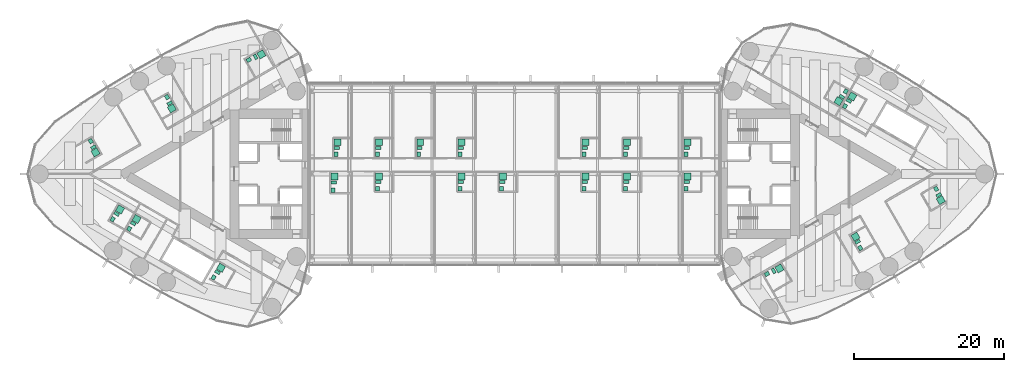
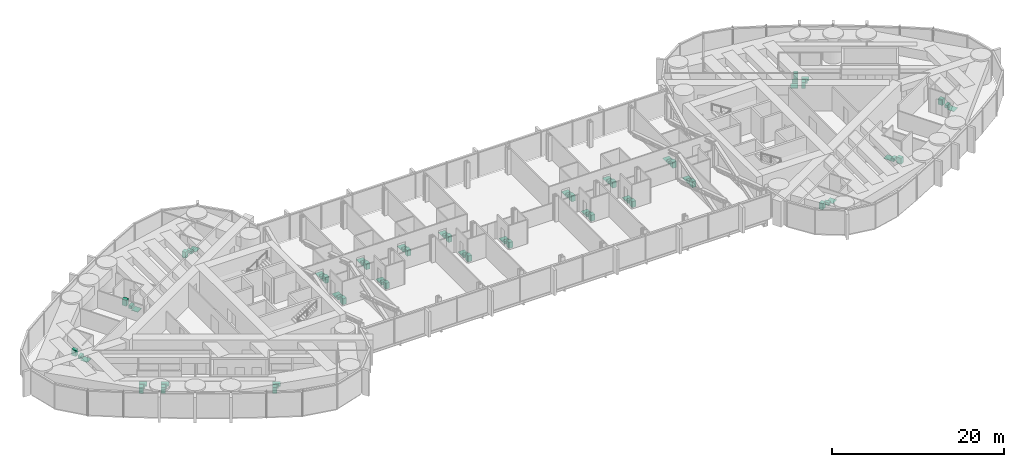
# One storey, part 22 of 22: 31 sanitary terminals.
"""IFC4 building model written with IfcOpenShell, lengths in metres."""

from ifc_helpers import new_model, si_unit, direction, frame, origin, origin_2d, place, context, subcontext, project, spatial, rectangle, extrude, material, type_object, element, save


model = new_model("IFC4")

# Units and contexts
model_context = context("Model", 3, precision=1e-05, world=origin(), true_north=direction((0.0, 1.0)))
body_context = subcontext(model_context, "Body", "Model", "MODEL_VIEW")
ifc_project = project(units=[si_unit("LENGTHUNIT", "METRE"), si_unit("AREAUNIT", "SQUARE_METRE"), si_unit("VOLUMEUNIT", "CUBIC_METRE"), si_unit("PLANEANGLEUNIT", "RADIAN"), si_unit("MASSUNIT", "GRAM", prefix="KILO")], contexts=[model_context])

# Site, building, storey
site_placement = place(None, origin())
site = spatial("IfcSite", under=ifc_project, at=site_placement, CompositionType="ELEMENT")
building_placement = place(site_placement, origin())
building = spatial("IfcBuilding", under=site, at=building_placement, Name="Lancet Gate Hotel", CompositionType="ELEMENT")
storey_placement = place(building_placement, frame((0.0, 0.0, 229.699951171875)))
storey = spatial("IfcBuildingStorey", under=building, at=storey_placement, Name="L61", CompositionType="ELEMENT", Elevation=229.699951171875)

# Sanitary terminals
ifc_material_1 = material(Name="Vitreous china sanitary ware")
sanitary_terminal_type_1 = type_object("IfcSanitaryTerminalType", Name="En-suite sanitary set (shower, WC, basin)", PredefinedType="USERDEFINED", material=ifc_material_1)
sanitary_terminal_1_placement = place(storey_placement, frame((-45.60888671875, 8.717529296875, 0.0), z_axis=(0.0, 0.0, 1.0), x_axis=(1.0, 0.0, 0.0)))
element("IfcSanitaryTerminal", 1, at=sanitary_terminal_1_placement, inside=storey, type_object=sanitary_terminal_type_1, Name="En-suite sanitary set (shower, WC, basin) 6103", ObjectType="EN-SUITE SANITARY SET", PredefinedType="USERDEFINED", context=body_context, shape_type="SweptSolid", body=[
    extrude(rectangle(XDim=0.89990234375, YDim=0.89990234375, at=origin_2d()), frame((0.0, 0.0, 0.0), z_axis=(0.0, 0.0, 1.0), x_axis=(0.5, -0.866025403784, 0.0)), (0.0, 0.0, 1.0), 0.050048828125),
    extrude(rectangle(XDim=0.39990234375, YDim=0.699951171875, at=origin_2d()), frame((-0.2783203125, 0.682373046875, 0.0), z_axis=(0.0, 0.0, 1.0), x_axis=(0.5, -0.866025403784, 0.0)), (0.0, 0.0, 1.0), 0.39990234375),
    extrude(rectangle(XDim=0.60009765625, YDim=0.5, at=origin_2d()), frame((-0.6318359375, 1.494384765625, 0.0), z_axis=(0.0, 0.0, 1.0), x_axis=(0.5, -0.866025403784, 0.0)), (0.0, 0.0, 1.0), 0.85009765625),
])
sanitary_terminal_2_placement = place(storey_placement, frame((-55.758544921875, 2.857666015625, 0.0), z_axis=(0.0, 0.0, 1.0), x_axis=(1.0, 0.0, 0.0)))
element("IfcSanitaryTerminal", 2, at=sanitary_terminal_2_placement, inside=storey, type_object=sanitary_terminal_type_1, Name="En-suite sanitary set (shower, WC, basin) 6105", ObjectType="EN-SUITE SANITARY SET", PredefinedType="USERDEFINED", context=body_context, shape_type="SweptSolid", body=[
    extrude(rectangle(XDim=0.89990234375, YDim=0.89990234375, at=origin_2d()), frame((0.0, 0.0, 0.0), z_axis=(0.0, 0.0, 1.0), x_axis=(0.5, -0.866025403784, 0.0)), (0.0, 0.0, 1.0), 0.050048828125),
    extrude(rectangle(XDim=0.39990234375, YDim=0.699951171875, at=origin_2d()), frame((-0.278564453125, 0.68212890625, 0.0), z_axis=(0.0, 0.0, 1.0), x_axis=(0.5, -0.866025403784, 0.0)), (0.0, 0.0, 1.0), 0.39990234375),
    extrude(rectangle(XDim=0.60009765625, YDim=0.5, at=origin_2d()), frame((-0.6318359375, 1.494384765625, 0.0), z_axis=(0.0, 0.0, 1.0), x_axis=(0.5, -0.866025403784, 0.0)), (0.0, 0.0, 1.0), 0.85009765625),
])
sanitary_terminal_3_placement = place(storey_placement, frame((-52.501220703125, -4.73828125, 0.0), z_axis=(0.0, 0.0, 1.0), x_axis=(1.0, 0.0, 0.0)))
element("IfcSanitaryTerminal", 3, at=sanitary_terminal_3_placement, inside=storey, type_object=sanitary_terminal_type_1, Name="En-suite sanitary set (shower, WC, basin) 6106", ObjectType="EN-SUITE SANITARY SET", PredefinedType="USERDEFINED", context=body_context, shape_type="SweptSolid", body=[
    extrude(rectangle(XDim=0.89990234375, YDim=0.89990234375, at=origin_2d()), frame((0.0, 0.0, 0.0), z_axis=(0.0, 0.0, 1.0), x_axis=(0.5, 0.866025403784, 0.0)), (0.0, 0.0, 1.0), 0.050048828125),
    extrude(rectangle(XDim=0.39990234375, YDim=0.699951171875, at=origin_2d()), frame((-0.451416015625, -0.582275390625, 0.0), z_axis=(0.0, 0.0, 1.0), x_axis=(0.5, 0.866025403784, 0.0)), (0.0, 0.0, 1.0), 0.39990234375),
    extrude(rectangle(XDim=0.60009765625, YDim=0.5, at=origin_2d()), frame((-0.97802734375, -1.29443359375, 0.0), z_axis=(0.0, 0.0, 1.0), x_axis=(0.5, 0.866025403784, 0.0)), (0.0, 0.0, 1.0), 0.85009765625),
])
for number, where, z_axis, x_axis, name in (
    (4, (-50.292724609375, -6.013427734375, 0.0), (0.0, 0.0, 1.0), (1.0, 0.0, 0.0), "En-suite sanitary set (shower, WC, basin) 6107"),
    (5, (-39.07275390625, -12.4912109375, 0.0), (0.0, 0.0, 1.0), (1.0, 0.0, 0.0), "En-suite sanitary set (shower, WC, basin) 6109"),
):
    element("IfcSanitaryTerminal", number, at=place(storey_placement, frame(where, z_axis=z_axis, x_axis=x_axis)), inside=storey, type_object=sanitary_terminal_type_1, Name=name, ObjectType="EN-SUITE SANITARY SET", PredefinedType="USERDEFINED", context=body_context, shape_type="SweptSolid", body=[
        extrude(rectangle(XDim=0.89990234375, YDim=0.89990234375, at=origin_2d()), frame((0.0, 0.0, 0.0), z_axis=(0.0, 0.0, 1.0), x_axis=(0.5, 0.866025403784, 0.0)), (0.0, 0.0, 1.0), 0.050048828125),
        extrude(rectangle(XDim=0.39990234375, YDim=0.699951171875, at=origin_2d()), frame((-0.45166015625, -0.582275390625, 0.0), z_axis=(0.0, 0.0, 1.0), x_axis=(0.5, 0.866025403784, 0.0)), (0.0, 0.0, 1.0), 0.39990234375),
        extrude(rectangle(XDim=0.60009765625, YDim=0.5, at=origin_2d()), frame((-0.978271484375, -1.294189453125, 0.0), z_axis=(0.0, 0.0, 1.0), x_axis=(0.5, 0.866025403784, 0.0)), (0.0, 0.0, 1.0), 0.85009765625),
    ])
sanitary_terminal_4_placement = place(storey_placement, frame((45.358154296875, -8.3623046875, 0.0), z_axis=(0.0, 0.0, 1.0), x_axis=(1.0, 0.0, 0.0)))
element("IfcSanitaryTerminal", 6, at=sanitary_terminal_4_placement, inside=storey, type_object=sanitary_terminal_type_1, Name="En-suite sanitary set (shower, WC, basin) 6153", ObjectType="EN-SUITE SANITARY SET", PredefinedType="USERDEFINED", context=body_context, shape_type="SweptSolid", body=[
    extrude(rectangle(XDim=0.89990234375, YDim=0.89990234375, at=origin_2d()), frame((0.0, 0.0, 0.0), z_axis=(0.0, 0.0, 1.0), x_axis=(-0.5, 0.866025403784, 0.0)), (0.0, 0.0, 1.0), 0.050048828125),
    extrude(rectangle(XDim=0.39990234375, YDim=0.699951171875, at=origin_2d()), frame((0.2783203125, -0.682373046875, 0.0), z_axis=(0.0, 0.0, 1.0), x_axis=(-0.5, 0.866025403784, 0.0)), (0.0, 0.0, 1.0), 0.39990234375),
    extrude(rectangle(XDim=0.60009765625, YDim=0.5, at=origin_2d()), frame((0.6318359375, -1.494384765625, 0.0), z_axis=(0.0, 0.0, 1.0), x_axis=(-0.5, 0.866025403784, 0.0)), (0.0, 0.0, 1.0), 0.85009765625),
])
sanitary_terminal_5_placement = place(storey_placement, frame((56.7138671875, -3.4921875, 0.0), z_axis=(0.0, 0.0, 1.0), x_axis=(1.0, 0.0, 0.0)))
element("IfcSanitaryTerminal", 7, at=sanitary_terminal_5_placement, inside=storey, type_object=sanitary_terminal_type_1, Name="En-suite sanitary set (shower, WC, basin) 6155", ObjectType="EN-SUITE SANITARY SET", PredefinedType="USERDEFINED", context=body_context, shape_type="SweptSolid", body=[
    extrude(rectangle(XDim=0.89990234375, YDim=0.89990234375, at=origin_2d()), frame((0.0, 0.0, 0.0), z_axis=(0.0, 0.0, 1.0), x_axis=(0.5, -0.866025403784, 0.0)), (0.0, 0.0, 1.0), 0.050048828125),
    extrude(rectangle(XDim=0.39990234375, YDim=0.699951171875, at=origin_2d()), frame((-0.278564453125, 0.682373046875, 0.0), z_axis=(0.0, 0.0, 1.0), x_axis=(0.5, -0.866025403784, 0.0)), (0.0, 0.0, 1.0), 0.39990234375),
    extrude(rectangle(XDim=0.60009765625, YDim=0.5, at=origin_2d()), frame((-0.6318359375, 1.494384765625, 0.0), z_axis=(0.0, 0.0, 1.0), x_axis=(0.5, -0.866025403784, 0.0)), (0.0, 0.0, 1.0), 0.85009765625),
])
sanitary_terminal_6_placement = place(storey_placement, frame((44.93310546875, 10.293701171875, 0.0), z_axis=(0.0, 0.0, 1.0), x_axis=(1.0, 0.0, 0.0)))
element("IfcSanitaryTerminal", 8, at=sanitary_terminal_6_placement, inside=storey, type_object=sanitary_terminal_type_1, Name="En-suite sanitary set (shower, WC, basin) 6158", ObjectType="EN-SUITE SANITARY SET", PredefinedType="USERDEFINED", context=body_context, shape_type="SweptSolid", body=[
    extrude(rectangle(XDim=0.89990234375, YDim=0.89990234375, at=origin_2d()), frame((0.0, 0.0, 0.0), z_axis=(0.0, 0.0, 1.0), x_axis=(0.5, 0.866025403784, 0.0)), (0.0, 0.0, 1.0), 0.050048828125),
    extrude(rectangle(XDim=0.39990234375, YDim=0.699951171875, at=origin_2d()), frame((-0.451416015625, -0.582275390625, 0.0), z_axis=(0.0, 0.0, 1.0), x_axis=(0.5, 0.866025403784, 0.0)), (0.0, 0.0, 1.0), 0.39990234375),
    extrude(rectangle(XDim=0.60009765625, YDim=0.5, at=origin_2d()), frame((-0.97802734375, -1.29443359375, 0.0), z_axis=(0.0, 0.0, 1.0), x_axis=(0.5, 0.866025403784, 0.0)), (0.0, 0.0, 1.0), 0.85009765625),
])
sanitary_terminal_7_placement = place(storey_placement, frame((43.0859375, 9.67431640625, 0.0), z_axis=(0.0, 0.0, 1.0), x_axis=(1.0, 0.0, 0.0)))
element("IfcSanitaryTerminal", 9, at=sanitary_terminal_7_placement, inside=storey, type_object=sanitary_terminal_type_1, Name="En-suite sanitary set (shower, WC, basin) 6159", ObjectType="EN-SUITE SANITARY SET", PredefinedType="USERDEFINED", context=body_context, shape_type="SweptSolid", body=[
    extrude(rectangle(XDim=0.89990234375, YDim=0.89990234375, at=origin_2d()), frame((0.0, 0.0, 0.0), z_axis=(0.0, 0.0, 1.0), x_axis=(-0.5, -0.866025403784, 0.0)), (0.0, 0.0, 1.0), 0.050048828125),
    extrude(rectangle(XDim=0.39990234375, YDim=0.699951171875, at=origin_2d()), frame((0.45166015625, 0.58203125, 0.0), z_axis=(0.0, 0.0, 1.0), x_axis=(-0.5, -0.866025403784, 0.0)), (0.0, 0.0, 1.0), 0.39990234375),
    extrude(rectangle(XDim=0.60009765625, YDim=0.5, at=origin_2d()), frame((0.978271484375, 1.294189453125, 0.0), z_axis=(0.0, 0.0, 1.0), x_axis=(-0.5, -0.866025403784, 0.0)), (0.0, 0.0, 1.0), 0.85009765625),
])
for number, where, z_axis, x_axis, name in (
    (10, (-18.054931640625, -0.344970703125, 0.0), (0.0, 0.0, 1.0), (1.0, 0.0, 0.0), "En-suite sanitary set (shower, WC, basin) B6102"),
    (11, (-7.054931640625, -0.344970703125, 0.0), (0.0, 0.0, 1.0), (1.0, 0.0, 0.0), "En-suite sanitary set (shower, WC, basin) B6104"),
    (12, (-1.554931640625, -0.344970703125, 0.0), (0.0, 0.0, 1.0), (1.0, 0.0, 0.0), "En-suite sanitary set (shower, WC, basin) B6105"),
    (13, (9.445068359375, -0.344970703125, 0.0), (0.0, 0.0, 1.0), (1.0, 0.0, 0.0), "En-suite sanitary set (shower, WC, basin) B6107"),
    (14, (14.945068359375, -0.344970703125, 0.0), (0.0, 0.0, 1.0), (1.0, 0.0, 0.0), "En-suite sanitary set (shower, WC, basin) B6108"),
):
    element("IfcSanitaryTerminal", number, at=place(storey_placement, frame(where, z_axis=z_axis, x_axis=x_axis)), inside=storey, type_object=sanitary_terminal_type_1, Name=name, ObjectType="EN-SUITE SANITARY SET", PredefinedType="USERDEFINED", context=body_context, shape_type="SweptSolid", body=[
        extrude(rectangle(XDim=0.89990234375, YDim=0.89990234375, at=origin_2d()), frame((0.0, 0.0, 0.0), z_axis=(0.0, 0.0, 1.0), x_axis=(0.0, 1.0, 0.0)), (0.0, 0.0, 1.0), 0.050048828125),
        extrude(rectangle(XDim=0.39990234375, YDim=0.699951171875, at=origin_2d()), frame((-0.10009765625, -0.72998046875, 0.0), z_axis=(0.0, 0.0, 1.0), x_axis=(0.0, 1.0, 0.0)), (0.0, 0.0, 1.0), 0.39990234375),
        extrude(rectangle(XDim=0.60009765625, YDim=0.5, at=origin_2d()), frame((-0.199951171875, -1.610107421875, 0.0), z_axis=(0.0, 0.0, 1.0), x_axis=(0.0, 1.0, 0.0)), (0.0, 0.0, 1.0), 0.85009765625),
    ])
sanitary_terminal_8_placement = place(storey_placement, frame((22.9951171875, -0.344970703125, 0.0), z_axis=(0.0, 0.0, 1.0), x_axis=(1.0, 0.0, 0.0)))
element("IfcSanitaryTerminal", 15, at=sanitary_terminal_8_placement, inside=storey, type_object=sanitary_terminal_type_1, Name="En-suite sanitary set (shower, WC, basin) B6110", ObjectType="EN-SUITE SANITARY SET", PredefinedType="USERDEFINED", context=body_context, shape_type="SweptSolid", body=[
    extrude(rectangle(XDim=0.89990234375, YDim=0.89990234375, at=origin_2d()), frame((0.0, 0.0, 0.0), z_axis=(0.0, 0.0, 1.0), x_axis=(0.0, 1.0, 0.0)), (0.0, 0.0, 1.0), 0.050048828125),
    extrude(rectangle(XDim=0.39990234375, YDim=0.699951171875, at=origin_2d()), frame((-0.10009765625, -0.72998046875, 0.0), z_axis=(0.0, 0.0, 1.0), x_axis=(0.0, 1.0, 0.0)), (0.0, 0.0, 1.0), 0.39990234375),
    extrude(rectangle(XDim=0.60009765625, YDim=0.5, at=origin_2d()), frame((-0.2001953125, -1.610107421875, 0.0), z_axis=(0.0, 0.0, 1.0), x_axis=(0.0, 1.0, 0.0)), (0.0, 0.0, 1.0), 0.85009765625),
])
for number, where, z_axis, x_axis, name in (
    (16, (-23.554931640625, 4.205078125, 0.0), (0.0, 0.0, 1.0), (1.0, 0.0, 0.0), "En-suite sanitary set (shower, WC, basin) B6111"),
    (17, (-18.054931640625, 4.205078125, 0.0), (0.0, 0.0, 1.0), (1.0, 0.0, 0.0), "En-suite sanitary set (shower, WC, basin) B6112"),
    (18, (-12.554931640625, 4.205078125, 0.0), (0.0, 0.0, 1.0), (1.0, 0.0, 0.0), "En-suite sanitary set (shower, WC, basin) B6113"),
    (19, (-7.054931640625, 4.205078125, 0.0), (0.0, 0.0, 1.0), (1.0, 0.0, 0.0), "En-suite sanitary set (shower, WC, basin) B6114"),
    (20, (9.445068359375, 4.205078125, 0.0), (0.0, 0.0, 1.0), (1.0, 0.0, 0.0), "En-suite sanitary set (shower, WC, basin) B6117"),
    (21, (14.945068359375, 4.205078125, 0.0), (0.0, 0.0, 1.0), (1.0, 0.0, 0.0), "En-suite sanitary set (shower, WC, basin) B6118"),
):
    element("IfcSanitaryTerminal", number, at=place(storey_placement, frame(where, z_axis=z_axis, x_axis=x_axis)), inside=storey, type_object=sanitary_terminal_type_1, Name=name, ObjectType="EN-SUITE SANITARY SET", PredefinedType="USERDEFINED", context=body_context, shape_type="SweptSolid", body=[
        extrude(rectangle(XDim=0.89990234375, YDim=0.89990234375, at=origin_2d()), frame((0.0, 0.0, 0.0), z_axis=(0.0, 0.0, 1.0), x_axis=(0.0, 1.0, 0.0)), (0.0, 0.0, 1.0), 0.050048828125),
        extrude(rectangle(XDim=0.39990234375, YDim=0.699951171875, at=origin_2d()), frame((-0.10009765625, -0.72998046875, 0.0), z_axis=(0.0, 0.0, 1.0), x_axis=(0.0, 1.0, 0.0)), (0.0, 0.0, 1.0), 0.39990234375),
        extrude(rectangle(XDim=0.60009765625, YDim=0.5, at=origin_2d()), frame((-0.199951171875, -1.610107421875, 0.0), z_axis=(0.0, 0.0, 1.0), x_axis=(0.0, 1.0, 0.0)), (0.0, 0.0, 1.0), 0.85009765625),
    ])
sanitary_terminal_9_placement = place(storey_placement, frame((22.9951171875, 4.205078125, 0.0), z_axis=(0.0, 0.0, 1.0), x_axis=(1.0, 0.0, 0.0)))
element("IfcSanitaryTerminal", 22, at=sanitary_terminal_9_placement, inside=storey, type_object=sanitary_terminal_type_1, Name="En-suite sanitary set (shower, WC, basin) B6120", ObjectType="EN-SUITE SANITARY SET", PredefinedType="USERDEFINED", context=body_context, shape_type="SweptSolid", body=[
    extrude(rectangle(XDim=0.89990234375, YDim=0.89990234375, at=origin_2d()), frame((0.0, 0.0, 0.0), z_axis=(0.0, 0.0, 1.0), x_axis=(0.0, 1.0, 0.0)), (0.0, 0.0, 1.0), 0.050048828125),
    extrude(rectangle(XDim=0.39990234375, YDim=0.699951171875, at=origin_2d()), frame((-0.10009765625, -0.72998046875, 0.0), z_axis=(0.0, 0.0, 1.0), x_axis=(0.0, 1.0, 0.0)), (0.0, 0.0, 1.0), 0.39990234375),
    extrude(rectangle(XDim=0.60009765625, YDim=0.5, at=origin_2d()), frame((-0.2001953125, -1.610107421875, 0.0), z_axis=(0.0, 0.0, 1.0), x_axis=(0.0, 1.0, 0.0)), (0.0, 0.0, 1.0), 0.85009765625),
])
ifc_material_2 = material(Name="Stone resin shower tray", Category="masonry")
sanitary_terminal_type_2 = type_object("IfcSanitaryTerminalType", Name="Shower tray 900", PredefinedType="SHOWER", material=ifc_material_2)
for number, where, z_axis, x_axis, name in (
    (23, (-33.6953125, 15.896240234375, 0.0), (0.0, 0.0, 1.0), (0.866025403784, 0.5, 0.0), "Shower tray 900 6102"),
    (24, (35.2412109375, -12.5869140625, 0.0), (0.0, 0.0, 1.0), (0.866025403784, 0.5, 0.0), "Shower tray 900 6152"),
    (25, (-23.955078125, -0.344970703125, 0.0), (0.0, 0.0, 1.0), (0.0, 1.0, 0.0), "Shower tray 900 B6101"),
):
    element("IfcSanitaryTerminal", number, at=place(storey_placement, frame(where, z_axis=z_axis, x_axis=x_axis)), inside=storey, type_object=sanitary_terminal_type_2, Name=name, PredefinedType="SHOWER", context=body_context, shape_type="SweptSolid", body=[
        extrude(rectangle(XDim=0.89990234375, YDim=0.89990234375, at=origin_2d()), origin(), (0.0, 0.0, 1.0), 0.050048828125),
    ])
ifc_material_3 = material(Name="Vitreous china sanitary ware")
sanitary_terminal_type_3 = type_object("IfcSanitaryTerminalType", Name="Vanity basin 600", PredefinedType="WASHHANDBASIN", material=ifc_material_3)
for number, where, z_axis, x_axis, name in (
    (26, (-35.36279296875, 15.164306640625, 0.0), (0.0, 0.0, 1.0), (0.866025403784, 0.5, 0.0), "Vanity basin 600 6102"),
    (27, (33.57373046875, -13.318603515625, 0.0), (0.0, 0.0, 1.0), (0.866025403784, 0.5, 0.0), "Vanity basin 600 6152"),
    (28, (-24.155029296875, -2.155029296875, 0.0), (0.0, 0.0, 1.0), (0.0, 1.0, 0.0), "Vanity basin 600 B6101"),
):
    element("IfcSanitaryTerminal", number, at=place(storey_placement, frame(where, z_axis=z_axis, x_axis=x_axis)), inside=storey, type_object=sanitary_terminal_type_3, Name=name, PredefinedType="WASHHANDBASIN", context=body_context, shape_type="SweptSolid", body=[
        extrude(rectangle(XDim=0.60009765625, YDim=0.5, at=origin_2d()), origin(), (0.0, 0.0, 1.0), 0.85009765625),
    ])
ifc_material_4 = material(Name="Vitreous china sanitary ware")
sanitary_terminal_type_4 = type_object("IfcSanitaryTerminalType", Name="WC pan wall hung", PredefinedType="TOILETPAN", material=ifc_material_4)
for number, where, z_axis, x_axis, name in (
    (29, (-34.464111328125, 15.56787109375, 0.0), (0.0, 0.0, 1.0), (0.866025403784, 0.5, 0.0), "WC pan wall hung 6102"),
    (30, (34.472412109375, -12.915283203125, 0.0), (0.0, 0.0, 1.0), (0.866025403784, 0.5, 0.0), "WC pan wall hung 6152"),
    (31, (-24.054931640625, -1.175048828125, 0.0), (0.0, 0.0, 1.0), (0.0, 1.0, 0.0), "WC pan wall hung B6101"),
):
    element("IfcSanitaryTerminal", number, at=place(storey_placement, frame(where, z_axis=z_axis, x_axis=x_axis)), inside=storey, type_object=sanitary_terminal_type_4, Name=name, PredefinedType="TOILETPAN", context=body_context, shape_type="SweptSolid", body=[
        extrude(rectangle(XDim=0.39990234375, YDim=0.699951171875, at=origin_2d()), origin(), (0.0, 0.0, 1.0), 0.39990234375),
    ])

save(model, "model.ifc")
